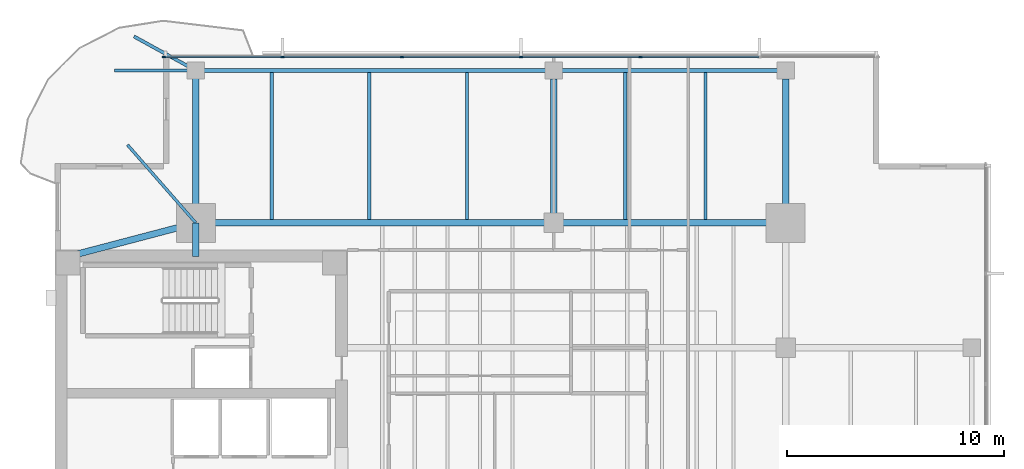
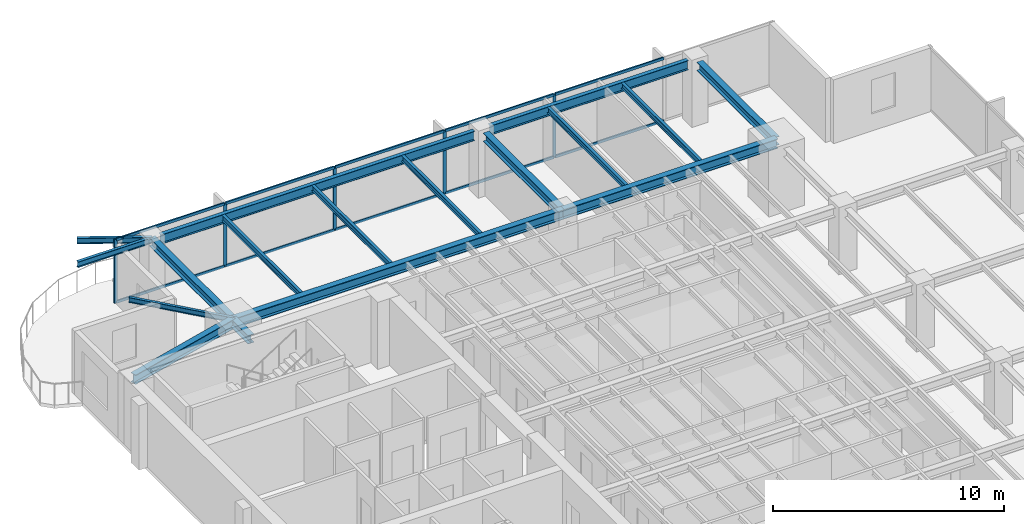
# One storey, part 5 of 14: 17 beams, 15 members, 1 element without a shape of its own.
"""IFC4 building model written with IfcOpenShell, lengths in metres."""

import ifcopenshell
import ifcopenshell.guid

model = None  # the IFC model being written
_history = None  # IfcOwnerHistory: only IFC2X3 demands one
_inside = {}  # id of a spatial element -> (the spatial element, [elements in it])
_under = {}  # id of a project, library or spatial element -> (it, [spatial elements below it])
_declared = {}  # id of a project -> (the project, [libraries it declares])
_typed = {}  # id of a type object -> (the type object, [elements of that type])
_made_of = {}  # id of a material, layer set ... -> (it, [elements and type objects made of it])


def new_model(schema):
    """Start an empty IFC model of exactly this schema.

    Asked for "IFC4X3", IfcOpenShell would pick the latest addendum, in which some entities
    have other attributes; the version numbers below select the first issue.
    IFC2X3 requires an IfcOwnerHistory on every rooted entity: one is made here for all.
    """
    global model, _history
    if schema == "IFC4X3":
        model = ifcopenshell.file(schema_version=(4, 3, 0, 0))
    else:
        model = ifcopenshell.file(schema=schema)
    _inside.clear()
    _under.clear()
    _declared.clear()
    _typed.clear()
    _made_of.clear()
    _history = None
    if model.schema == "IFC2X3":
        org = make("IfcOrganization", Name="unknown")
        user = make(
            "IfcPersonAndOrganization",
            ThePerson=make("IfcPerson", FamilyName="unknown"),
            TheOrganization=org,
        )
        app = make(
            "IfcApplication",
            ApplicationDeveloper=org,
            Version="unknown",
            ApplicationFullName="unknown",
            ApplicationIdentifier="unknown",
        )
        _history = make(
            "IfcOwnerHistory",
            OwningUser=user,
            OwningApplication=app,
            ChangeAction="ADDED",
            CreationDate=0,
        )
    return model


def make(cls, **values):
    """One entity of the class cls with the attributes given. An attribute that is None is left unset."""
    return model.create_entity(
        cls, **{name: value for name, value in values.items() if value is not None}
    )


def rooted(cls, **values):
    """An entity with a GlobalId (a new one), such as an element, a storey or a relation."""
    return make(cls, GlobalId=ifcopenshell.guid.new(), OwnerHistory=_history, **values)


def si_unit(unit_type, name, prefix=None):
    """IfcSIUnit, for example si_unit("LENGTHUNIT", "METRE", prefix="MILLI")."""
    return make("IfcSIUnit", UnitType=unit_type, Prefix=prefix, Name=name)


def assignment(units):
    """IfcUnitAssignment: the units of a project."""
    return None if units is None else make("IfcUnitAssignment", Units=units)


def point(xyz):
    """IfcCartesianPoint."""
    return None if xyz is None else make("IfcCartesianPoint", Coordinates=xyz)


def direction(xyz):
    """IfcDirection."""
    return None if xyz is None else make("IfcDirection", DirectionRatios=xyz)


def frame(location, z_axis=None, x_axis=None):
    """IfcAxis2Placement3D, a coordinate frame: its origin and axes. An axis left out is left unset."""
    return make(
        "IfcAxis2Placement3D",
        Location=point(location),
        Axis=direction(z_axis),
        RefDirection=direction(x_axis),
    )


def frame_2d(location, x_axis=None):
    """IfcAxis2Placement2D, a coordinate frame in the plane: its origin and x axis."""
    return make(
        "IfcAxis2Placement2D", Location=point(location), RefDirection=direction(x_axis)
    )


def origin():
    """The frame at (0, 0, 0) with its axes left unset."""
    return frame((0.0, 0.0, 0.0))


def origin_2d():
    """The frame at (0, 0) in the plane with its x axis left unset."""
    return frame_2d((0.0, 0.0))


def place(relative_to, where):
    """IfcLocalPlacement: puts the frame where relative to a parent placement (None: the world)."""
    return make(
        "IfcLocalPlacement", PlacementRelTo=relative_to, RelativePlacement=where
    )


def context(
    kind, dimensions, precision=None, world=None, true_north=None, identifier=None
):
    """IfcGeometricRepresentationContext, for example the 3D "Model" context."""
    return make(
        "IfcGeometricRepresentationContext",
        ContextIdentifier=identifier,
        ContextType=kind,
        CoordinateSpaceDimension=dimensions,
        Precision=precision,
        WorldCoordinateSystem=world,
        TrueNorth=true_north,
    )


def subcontext(parent, identifier, kind, view, scale=None):
    """IfcGeometricRepresentationSubContext, for example "Body" below "Model"."""
    return make(
        "IfcGeometricRepresentationSubContext",
        ContextIdentifier=identifier,
        ContextType=kind,
        ParentContext=parent,
        TargetScale=scale,
        TargetView=view,
    )


def project(units=None, contexts=None):
    """IfcProject with its units and contexts."""
    return rooted(
        "IfcProject",
        Name="project",
        RepresentationContexts=contexts,
        UnitsInContext=assignment(units),
    )


def spatial(cls, under=None, at=None, **own):
    """A site, building, storey or space (cls), placed at a placement, below another one or the project."""
    s = rooted(cls, ObjectPlacement=at, **own)
    if under is not None:
        _under.setdefault(under.id(), (under, []))[1].append(s)
    return s


def profile(cls, at=None, kind="AREA", **sizes):
    """A parametric profile (cls). Its sizes go by their IFC names, for example OverallWidth=200.0."""
    return make(cls, ProfileType=kind, Position=at, **sizes)


def rectangle(**sizes):
    """IfcRectangleProfileDef."""
    return profile("IfcRectangleProfileDef", **sizes)


def i_section(**sizes):
    """IfcIShapeProfileDef."""
    return profile("IfcIShapeProfileDef", **sizes)


def extrude(swept, where, along, depth):
    """IfcExtrudedAreaSolid: the profile swept, set in the frame where, extruded along a direction by depth."""
    return make(
        "IfcExtrudedAreaSolid",
        SweptArea=swept,
        Position=where,
        ExtrudedDirection=direction(along),
        Depth=depth,
    )


def shape(context_of_items, identifier, shape_type, items):
    """IfcShapeRepresentation: the items that make up one representation, for example the "Body"."""
    return make(
        "IfcShapeRepresentation",
        ContextOfItems=context_of_items,
        RepresentationIdentifier=identifier,
        RepresentationType=shape_type,
        Items=items,
    )


def material(Name=None, Category=None):
    """IfcMaterial."""
    return make("IfcMaterial", Name=Name, Category=Category)


def layer(
    of_material, thickness, ventilated=None, Name=None, Category=None, Priority=None
):
    """IfcMaterialLayer: one layer of a wall or slab, of a material (None: an air gap)."""
    return make(
        "IfcMaterialLayer",
        Material=of_material,
        LayerThickness=thickness,
        IsVentilated=ventilated,
        Name=Name,
        Category=Category,
        Priority=Priority,
    )


def layer_set(layers, Name=None):
    """IfcMaterialLayerSet."""
    return make("IfcMaterialLayerSet", MaterialLayers=layers, LayerSetName=Name)


def material_profile(
    of_material, cross_section, Name=None, Category=None, Priority=None
):
    """IfcMaterialProfile: a cross section and its material."""
    return make(
        "IfcMaterialProfile",
        Name=Name,
        Material=of_material,
        Profile=cross_section,
        Priority=Priority,
        Category=Category,
    )


def profile_set(profiles, Name=None, composite=None):
    """IfcMaterialProfileSet."""
    return make(
        "IfcMaterialProfileSet",
        Name=Name,
        MaterialProfiles=profiles,
        CompositeProfile=composite,
    )


def made_of(thing, what):
    """Note that an element or type object is made of a material, layer set ...; save() writes the relation."""
    if what is not None:
        _made_of.setdefault(what.id(), (what, []))[1].append(thing)
    return thing


def type_object(cls, material=None, **own):
    """A type object (cls), such as IfcWallType, which elements share."""
    return made_of(rooted(cls, **own), material)


def element(
    cls,
    number,
    at=None,
    inside=None,
    cuts=None,
    type_object=None,
    material=None,
    context=None,
    identifier="Body",
    shape_type=None,
    held_by="IfcProductDefinitionShape",
    body=None,
    shapes=None,
    **own,
):
    """One element of the class cls, such as IfcWall. Its Tag is "e" and its number.

    at: its placement. inside: the storey or other place that contains it. cuts: it is an
    opening in that element (IfcRelVoidsElement). A single representation is given by context,
    identifier, shape_type and body (its items); several are given by shapes. held_by: the class
    of the entity that holds the representations. save() writes the other relations.
    """
    e = rooted(cls, Tag="e%d" % number, ObjectPlacement=at, **own)
    if body is not None:
        shapes = [shape(context, identifier, shape_type, body)]
    if shapes is not None:
        e.Representation = make(held_by, Representations=shapes)
    if inside is not None:
        _inside.setdefault(inside.id(), (inside, []))[1].append(e)
    if cuts is not None:
        rooted(
            "IfcRelVoidsElement", RelatingBuildingElement=cuts, RelatedOpeningElement=e
        )
    if type_object is not None:
        _typed.setdefault(type_object.id(), (type_object, []))[1].append(e)
    return made_of(e, material)


def aggregate(whole, parts):
    """IfcRelAggregates: a whole, such as a stair, and the parts it consists of."""
    return rooted("IfcRelAggregates", RelatingObject=whole, RelatedObjects=parts)


def save(model, path):
    """Write the relations noted so far, then the file.

    IfcRelAggregates (storeys below a building ...), IfcRelContainedInSpatialStructure (elements
    in a storey), IfcRelDefinesByType, IfcRelAssociatesMaterial and IfcRelDeclares: one each for
    every whole, place, type object, material and project.
    """
    for whole, parts in _under.values():
        aggregate(whole, parts)
    for where, things in _inside.values():
        rooted(
            "IfcRelContainedInSpatialStructure",
            RelatedElements=things,
            RelatingStructure=where,
        )
    for kind, things in _typed.values():
        rooted("IfcRelDefinesByType", RelatedObjects=things, RelatingType=kind)
    for what, things in _made_of.values():
        rooted("IfcRelAssociatesMaterial", RelatedObjects=things, RelatingMaterial=what)
    for by, libraries in _declared.values():
        rooted("IfcRelDeclares", RelatingContext=by, RelatedDefinitions=libraries)
    model.write(path)


model = new_model("IFC4")

# Units and contexts
model_context = context("Model", 3, precision=1e-05, world=origin(), true_north=direction((0.0, 1.0)))
body_context = subcontext(model_context, "Body", "Model", "MODEL_VIEW")
ifc_project = project(units=[si_unit("LENGTHUNIT", "METRE"), si_unit("AREAUNIT", "SQUARE_METRE"), si_unit("VOLUMEUNIT", "CUBIC_METRE"), si_unit("PLANEANGLEUNIT", "RADIAN"), si_unit("MASSUNIT", "GRAM", prefix="KILO")], contexts=[model_context])

# Site, building, storey
site_placement = place(None, origin())
site = spatial("IfcSite", under=ifc_project, at=site_placement, CompositionType="ELEMENT")
building_placement = place(site_placement, origin())
building = spatial("IfcBuilding", under=site, at=building_placement, Name="Kinhvarn Gate Tower", CompositionType="ELEMENT")
storey_placement = place(building_placement, frame((0.0, 0.0, 216.449951171875)))
storey = spatial("IfcBuildingStorey", under=building, at=storey_placement, Name="L57", CompositionType="ELEMENT", Elevation=216.449951171875)

# Curtain wall, members
ifc_material_1 = material(Name="Anodised aluminium AW-6063", Category="aluminium")
ifc_layer = layer(ifc_material_1, 0.179931640625)
ifc_layer_set = layer_set([ifc_layer], Name="Anodised aluminium AW-6063")
curtain_wall_type = type_object("IfcCurtainWallType", Name="CW-SYS-3", PredefinedType="NOTDEFINED", material=ifc_layer_set)
curtain_wall_placement = place(storey_placement, origin())
curtain_wall = element("IfcCurtainWall", 1, at=curtain_wall_placement, inside=storey, type_object=curtain_wall_type, Name="Curtain Wall CW3 (L57)", PredefinedType="NOTDEFINED")
ifc_material_profile_1 = material_profile(ifc_material_1, rectangle(XDim=0.06494140625, YDim=0.159912109375, at=origin_2d()), Name="ALU 65x160")
ifc_profile_set_1 = profile_set([ifc_material_profile_1], Name="Anodised aluminium AW-6063")
member_type_1 = type_object("IfcMemberType", Name="CW-MUL-160", PredefinedType="MULLION", material=ifc_profile_set_1)
member_1_placement = place(storey_placement, frame((31.5, 45.409912109375, 0.0), z_axis=(0.0, 0.0, 1.0), x_axis=(0.0, -1.0, 0.0)))
member_1 = element("IfcMember", 2, at=member_1_placement, type_object=member_type_1, Name="CW3 mullion 3", PredefinedType="MULLION", context=body_context, shape_type="SweptSolid", body=[
    extrude(rectangle(XDim=0.06494140625, YDim=0.159912109375, at=origin_2d()), origin(), (0.0, 0.0, 1.0), 3.3701171875),
])
member_2_placement = place(storey_placement, frame((26.0, 45.409912109375, 0.0), z_axis=(0.0, 0.0, 1.0), x_axis=(0.0, -1.0, 0.0)))
member_2 = element("IfcMember", 3, at=member_2_placement, type_object=member_type_1, Name="CW3 mullion 4", PredefinedType="MULLION", context=body_context, shape_type="SweptSolid", body=[
    extrude(rectangle(XDim=0.06494140625, YDim=0.159912109375, at=origin_2d()), origin(), (0.0, 0.0, 1.0), 3.3701171875),
])
member_3_placement = place(storey_placement, frame((20.5, 45.409912109375, 0.0), z_axis=(0.0, 0.0, 1.0), x_axis=(0.0, -1.0, 0.0)))
member_3 = element("IfcMember", 4, at=member_3_placement, type_object=member_type_1, Name="CW3 mullion 5", PredefinedType="MULLION", context=body_context, shape_type="SweptSolid", body=[
    extrude(rectangle(XDim=0.06494140625, YDim=0.159912109375, at=origin_2d()), origin(), (0.0, 0.0, 1.0), 3.3701171875),
])
member_4_placement = place(storey_placement, frame((15.0, 45.409912109375, 0.0), z_axis=(0.0, 0.0, 1.0), x_axis=(0.0, -1.0, 0.0)))
member_4 = element("IfcMember", 5, at=member_4_placement, type_object=member_type_1, Name="CW3 mullion 6", PredefinedType="MULLION", context=body_context, shape_type="SweptSolid", body=[
    extrude(rectangle(XDim=0.06494140625, YDim=0.159912109375, at=origin_2d()), origin(), (0.0, 0.0, 1.0), 3.3701171875),
])
member_5_placement = place(storey_placement, frame((9.532470703125, 45.409912109375, 0.0), z_axis=(0.0, 0.0, 1.0), x_axis=(0.0, -1.0, 0.0)))
member_5 = element("IfcMember", 6, at=member_5_placement, type_object=member_type_1, Name="CW3 mullion 7", PredefinedType="MULLION", context=body_context, shape_type="SweptSolid", body=[
    extrude(rectangle(XDim=0.06494140625, YDim=0.159912109375, at=origin_2d()), origin(), (0.0, 0.0, 1.0), 3.3701171875),
])
ifc_material_profile_2 = material_profile(ifc_material_1, rectangle(XDim=0.070068359375, YDim=0.139892578125, at=origin_2d()), Name="ALU 70x140")
ifc_profile_set_2 = profile_set([ifc_material_profile_2], Name="Anodised aluminium AW-6063")
member_type_2 = type_object("IfcMemberType", Name="CW-TRN-140", PredefinedType="USERDEFINED", material=ifc_profile_set_2)
member_6_placement = place(storey_placement, frame((36.967529296875, 45.409912109375, 0.03515625), z_axis=(-1.0, 0.0, 0.0), x_axis=(0.0, -1.0, 0.0)))
member_6 = element("IfcMember", 7, at=member_6_placement, type_object=member_type_2, Name="CW3 transom 2.1", ObjectType="TRANSOM", PredefinedType="USERDEFINED", context=body_context, shape_type="SweptSolid", body=[
    extrude(rectangle(XDim=0.070068359375, YDim=0.139892578125, at=origin_2d()), origin(), (0.0, 0.0, 1.0), 5.43505859375),
])
member_7_placement = place(storey_placement, frame((36.967529296875, 45.409912109375, 3.3349609375), z_axis=(-1.0, 0.0, 0.0), x_axis=(0.0, -1.0, 0.0)))
member_7 = element("IfcMember", 8, at=member_7_placement, type_object=member_type_2, Name="CW3 transom 2.2", ObjectType="TRANSOM", PredefinedType="USERDEFINED", context=body_context, shape_type="SweptSolid", body=[
    extrude(rectangle(XDim=0.070068359375, YDim=0.139892578125, at=origin_2d()), origin(), (0.0, 0.0, 1.0), 5.43505859375),
])
member_8_placement = place(storey_placement, frame((31.467529296875, 45.409912109375, 0.03515625), z_axis=(-1.0, 0.0, 0.0), x_axis=(0.0, -1.0, 0.0)))
member_8 = element("IfcMember", 9, at=member_8_placement, type_object=member_type_2, Name="CW3 transom 3.1", ObjectType="TRANSOM", PredefinedType="USERDEFINED", context=body_context, shape_type="SweptSolid", body=[
    extrude(rectangle(XDim=0.070068359375, YDim=0.139892578125, at=origin_2d()), origin(), (0.0, 0.0, 1.0), 5.43505859375),
])
member_9_placement = place(storey_placement, frame((31.467529296875, 45.409912109375, 3.3349609375), z_axis=(-1.0, 0.0, 0.0), x_axis=(0.0, -1.0, 0.0)))
member_9 = element("IfcMember", 10, at=member_9_placement, type_object=member_type_2, Name="CW3 transom 3.2", ObjectType="TRANSOM", PredefinedType="USERDEFINED", context=body_context, shape_type="SweptSolid", body=[
    extrude(rectangle(XDim=0.070068359375, YDim=0.139892578125, at=origin_2d()), origin(), (0.0, 0.0, 1.0), 5.43505859375),
])
member_10_placement = place(storey_placement, frame((25.967529296875, 45.409912109375, 0.03515625), z_axis=(-1.0, 0.0, 0.0), x_axis=(0.0, -1.0, 0.0)))
member_10 = element("IfcMember", 11, at=member_10_placement, type_object=member_type_2, Name="CW3 transom 4.1", ObjectType="TRANSOM", PredefinedType="USERDEFINED", context=body_context, shape_type="SweptSolid", body=[
    extrude(rectangle(XDim=0.070068359375, YDim=0.139892578125, at=origin_2d()), origin(), (0.0, 0.0, 1.0), 5.43505859375),
])
member_11_placement = place(storey_placement, frame((25.967529296875, 45.409912109375, 3.3349609375), z_axis=(-1.0, 0.0, 0.0), x_axis=(0.0, -1.0, 0.0)))
member_11 = element("IfcMember", 12, at=member_11_placement, type_object=member_type_2, Name="CW3 transom 4.2", ObjectType="TRANSOM", PredefinedType="USERDEFINED", context=body_context, shape_type="SweptSolid", body=[
    extrude(rectangle(XDim=0.070068359375, YDim=0.139892578125, at=origin_2d()), origin(), (0.0, 0.0, 1.0), 5.43505859375),
])
member_12_placement = place(storey_placement, frame((20.467529296875, 45.409912109375, 0.03515625), z_axis=(-1.0, 0.0, 0.0), x_axis=(0.0, -1.0, 0.0)))
member_12 = element("IfcMember", 13, at=member_12_placement, type_object=member_type_2, Name="CW3 transom 5.1", ObjectType="TRANSOM", PredefinedType="USERDEFINED", context=body_context, shape_type="SweptSolid", body=[
    extrude(rectangle(XDim=0.070068359375, YDim=0.139892578125, at=origin_2d()), origin(), (0.0, 0.0, 1.0), 5.43505859375),
])
member_13_placement = place(storey_placement, frame((20.467529296875, 45.409912109375, 3.3349609375), z_axis=(-1.0, 0.0, 0.0), x_axis=(0.0, -1.0, 0.0)))
member_13 = element("IfcMember", 14, at=member_13_placement, type_object=member_type_2, Name="CW3 transom 5.2", ObjectType="TRANSOM", PredefinedType="USERDEFINED", context=body_context, shape_type="SweptSolid", body=[
    extrude(rectangle(XDim=0.070068359375, YDim=0.139892578125, at=origin_2d()), origin(), (0.0, 0.0, 1.0), 5.43505859375),
])
member_14_placement = place(storey_placement, frame((14.967529296875, 45.409912109375, 0.03515625), z_axis=(-1.0, 0.0, 0.0), x_axis=(0.0, -1.0, 0.0)))
member_14 = element("IfcMember", 15, at=member_14_placement, type_object=member_type_2, Name="CW3 transom 6.1", ObjectType="TRANSOM", PredefinedType="USERDEFINED", context=body_context, shape_type="SweptSolid", body=[
    extrude(rectangle(XDim=0.070068359375, YDim=0.139892578125, at=origin_2d()), origin(), (0.0, 0.0, 1.0), 5.402587890625),
])
member_15_placement = place(storey_placement, frame((14.967529296875, 45.409912109375, 3.3349609375), z_axis=(-1.0, 0.0, 0.0), x_axis=(0.0, -1.0, 0.0)))
member_15 = element("IfcMember", 16, at=member_15_placement, type_object=member_type_2, Name="CW3 transom 6.2", ObjectType="TRANSOM", PredefinedType="USERDEFINED", context=body_context, shape_type="SweptSolid", body=[
    extrude(rectangle(XDim=0.070068359375, YDim=0.139892578125, at=origin_2d()), origin(), (0.0, 0.0, 1.0), 5.402587890625),
])
aggregate(curtain_wall, [member_1, member_2, member_3, member_4, member_5, member_6, member_7, member_8, member_9, member_10, member_11, member_12, member_13, member_14, member_15])

# Beams
ifc_material_2 = material(Name="Steel S355", Category="steel")
ifc_material_profile_3 = material_profile(ifc_material_2, i_section(OverallWidth=0.300048828125, OverallDepth=0.449951171875, WebThickness=0.013916015625, FlangeThickness=0.02587890625, at=origin_2d()), Name="HEB 450")
ifc_profile_set_3 = profile_set([ifc_material_profile_3], Name="Steel S355")
beam_type_1 = type_object("IfcBeamType", Name="STL-HEB450", PredefinedType="BEAM", material=ifc_profile_set_3)
beam_1_placement = place(storey_placement, frame((11.0, 36.199951171875, 3.14501953125), z_axis=(0.0, 1.0, 0.0), x_axis=(-1.0, 0.0, 0.0)))
element("IfcBeam", 17, at=beam_1_placement, inside=storey, type_object=beam_type_1, Name="Floor Beam PG-13 (L57 MCW-CN)", PredefinedType="BEAM", context=body_context, shape_type="SweptSolid", body=[
    extrude(i_section(OverallWidth=0.300048828125, OverallDepth=0.449951171875, WebThickness=0.013916015625, FlangeThickness=0.02587890625, at=origin_2d()), origin(), (0.0, 0.0, 1.0), 1.550048828125),
])
beam_2_placement = place(storey_placement, frame((11.0, 37.75, 3.14501953125), z_axis=(0.0, 1.0, 0.0), x_axis=(-1.0, 0.0, 0.0)))
element("IfcBeam", 18, at=beam_2_placement, inside=storey, type_object=beam_type_1, Name="Floor Beam PG-13 (L57 MCW-N)", PredefinedType="BEAM", context=body_context, shape_type="SweptSolid", body=[
    extrude(i_section(OverallWidth=0.300048828125, OverallDepth=0.449951171875, WebThickness=0.013916015625, FlangeThickness=0.02587890625, at=origin_2d()), origin(), (0.0, 0.0, 1.0), 7.030029296875),
])
for number, where, z_axis, x_axis, name in (
    (19, (27.5, 37.75, 3.14501953125), (0.0, 1.0, 0.0), (-1.0, 0.0, 0.0), "Floor Beam PG-13 (L57 SP27-N-TIE)"),
    (20, (38.199951171875, 37.75, 3.14501953125), (0.0, 1.0, 0.0), (-1.0, 0.0, 0.0), "Floor Beam PG-13 (L57 MCE-N)"),
):
    element("IfcBeam", number, at=place(storey_placement, frame(where, z_axis=z_axis, x_axis=x_axis)), inside=storey, type_object=beam_type_1, Name=name, PredefinedType="BEAM", context=body_context, shape_type="SweptSolid", body=[
        extrude(i_section(OverallWidth=0.300048828125, OverallDepth=0.449951171875, WebThickness=0.013916015625, FlangeThickness=0.02587890625, at=origin_2d()), origin(), (0.0, 0.0, 1.0), 6.64501953125),
    ])
ifc_material_profile_4 = material_profile(ifc_material_2, i_section(OverallWidth=0.300048828125, OverallDepth=0.5, WebThickness=0.014404296875, FlangeThickness=0.028076171875, at=origin_2d()), Name="HEB 500")
ifc_profile_set_4 = profile_set([ifc_material_profile_4], Name="Steel S355")
beam_type_2 = type_object("IfcBeamType", Name="STL-HEB500", PredefinedType="BEAM", material=ifc_profile_set_4)
beam_3_placement = place(storey_placement, frame((11.0, 37.75, 3.1201171875), z_axis=(1.0, 0.0, 0.0), x_axis=(0.0, 1.0, 0.0)))
element("IfcBeam", 21, at=beam_3_placement, inside=storey, type_object=beam_type_2, Name="Floor Beam PG-14 (L57 MG-N1)", PredefinedType="BEAM", context=body_context, shape_type="SweptSolid", body=[
    extrude(i_section(OverallWidth=0.300048828125, OverallDepth=0.5, WebThickness=0.014404296875, FlangeThickness=0.028076171875, at=origin_2d()), origin(), (0.0, 0.0, 1.0), 16.5),
])
beam_4_placement = place(storey_placement, frame((27.5, 37.75, 3.1201171875), z_axis=(1.0, 0.0, 0.0), x_axis=(0.0, 1.0, 0.0)))
element("IfcBeam", 22, at=beam_4_placement, inside=storey, type_object=beam_type_2, Name="Floor Beam PG-14 (L57 MG-N2)", PredefinedType="BEAM", context=body_context, shape_type="SweptSolid", body=[
    extrude(i_section(OverallWidth=0.300048828125, OverallDepth=0.5, WebThickness=0.014404296875, FlangeThickness=0.028076171875, at=origin_2d()), origin(), (0.0, 0.0, 1.0), 10.699951171875),
])
beam_5_placement = place(storey_placement, frame((5.10009765625, 36.199951171875, 3.1201171875), z_axis=(0.967177623957, 0.254101246979, 0.0), x_axis=(-0.254101246979, 0.967177623957, 0.0)))
element("IfcBeam", 23, at=beam_5_placement, inside=storey, type_object=beam_type_2, Name="Floor Beam PG-14 (L57 MG-NW-DIAG)", PredefinedType="BEAM", context=body_context, shape_type="SweptSolid", body=[
    extrude(i_section(OverallWidth=0.300048828125, OverallDepth=0.5, WebThickness=0.014404296875, FlangeThickness=0.028076171875, at=origin_2d()), origin(), (0.0, 0.0, 1.0), 6.10009765625),
])
ifc_material_profile_5 = material_profile(ifc_material_2, i_section(OverallWidth=0.135009765625, OverallDepth=0.27001953125, WebThickness=0.006591796875, FlangeThickness=0.01025390625, at=origin_2d()), Name="IPE 270")
ifc_profile_set_5 = profile_set([ifc_material_profile_5], Name="Steel S355")
beam_type_3 = type_object("IfcBeamType", Name="STL-IPE270", PredefinedType="JOIST", material=ifc_profile_set_5)
beam_6_placement = place(storey_placement, frame((11.0, 37.75, 3.235107421875), z_axis=(-0.658482928045, 0.752595664001, 0.0), x_axis=(-0.752595664001, -0.658482928045, 0.0)))
element("IfcBeam", 24, at=beam_6_placement, inside=storey, type_object=beam_type_3, Name="Floor Joist SB-01 (L57 BAL-B3-L58)", PredefinedType="JOIST", context=body_context, shape_type="SweptSolid", body=[
    extrude(i_section(OverallWidth=0.135009765625, OverallDepth=0.27001953125, WebThickness=0.006591796875, FlangeThickness=0.01025390625, at=origin_2d()), origin(), (0.0, 0.0, 1.0), 4.78369140625),
])
ifc_material_profile_6 = material_profile(ifc_material_2, i_section(OverallWidth=0.14990234375, OverallDepth=0.300048828125, WebThickness=0.007080078125, FlangeThickness=0.0107421875, at=origin_2d()), Name="IPE 300")
ifc_profile_set_6 = profile_set([ifc_material_profile_6], Name="Steel S355")
beam_type_4 = type_object("IfcBeamType", Name="STL-IPE300", PredefinedType="JOIST", material=ifc_profile_set_6)
for number, where, z_axis, x_axis, name in (
    (25, (14.5, 37.89990234375, 3.219970703125), (0.0, 1.0, 0.0), (-1.0, 0.0, 0.0), "Floor Joist SB-02 (L57 JN-X145)"),
    (26, (19.0, 37.89990234375, 3.219970703125), (0.0, 1.0, 0.0), (-1.0, 0.0, 0.0), "Floor Joist SB-02 (L57 JN-X190)"),
    (27, (23.5, 37.89990234375, 3.219970703125), (0.0, 1.0, 0.0), (-1.0, 0.0, 0.0), "Floor Joist SB-02 (L57 JN-X235)"),
    (28, (30.800048828125, 37.89990234375, 3.219970703125), (0.0, 1.0, 0.0), (-1.0, 0.0, 0.0), "Floor Joist SB-02 (L57 JN-X308)"),
    (29, (34.5, 37.89990234375, 3.219970703125), (0.0, 1.0, 0.0), (-1.0, 0.0, 0.0), "Floor Joist SB-02 (L57 JN-X345)"),
):
    element("IfcBeam", number, at=place(storey_placement, frame(where, z_axis=z_axis, x_axis=x_axis)), inside=storey, type_object=beam_type_4, Name=name, PredefinedType="JOIST", context=body_context, shape_type="SweptSolid", body=[
        extrude(i_section(OverallWidth=0.14990234375, OverallDepth=0.300048828125, WebThickness=0.007080078125, FlangeThickness=0.0107421875, at=origin_2d()), origin(), (0.0, 0.0, 1.0), 6.780029296875),
    ])
beam_7_placement = place(storey_placement, frame((11.0, 44.780029296875, 3.219970703125), z_axis=(-1.0, 0.0, 0.0), x_axis=(0.0, -1.0, 0.0)))
element("IfcBeam", 30, at=beam_7_placement, inside=storey, type_object=beam_type_4, Name="Floor Joist SB-02 (L57 BAL-B1-L58)", PredefinedType="JOIST", context=body_context, shape_type="SweptSolid", body=[
    extrude(i_section(OverallWidth=0.14990234375, OverallDepth=0.300048828125, WebThickness=0.007080078125, FlangeThickness=0.0107421875, at=origin_2d()), origin(), (0.0, 0.0, 1.0), 3.75),
])
beam_8_placement = place(storey_placement, frame((11.0, 44.780029296875, 3.219970703125), z_axis=(-0.875889381738, 0.482511959394, 0.0), x_axis=(-0.482511959394, -0.875889381738, 0.0)))
element("IfcBeam", 31, at=beam_8_placement, inside=storey, type_object=beam_type_4, Name="Floor Joist SB-02 (L57 BAL-B2-L58)", PredefinedType="JOIST", context=body_context, shape_type="SweptSolid", body=[
    extrude(i_section(OverallWidth=0.14990234375, OverallDepth=0.300048828125, WebThickness=0.007080078125, FlangeThickness=0.0107421875, at=origin_2d()), origin(), (0.0, 0.0, 1.0), 3.25390625),
])
ifc_material_profile_7 = material_profile(ifc_material_2, i_section(OverallWidth=0.199951171875, OverallDepth=0.5, WebThickness=0.01025390625, FlangeThickness=0.01611328125, at=origin_2d()), Name="IPE 500")
ifc_profile_set_7 = profile_set([ifc_material_profile_7], Name="Steel S355")
beam_type_5 = type_object("IfcBeamType", Name="STL-IPE500", PredefinedType="SPANDREL", material=ifc_profile_set_7)
beam_9_placement = place(storey_placement, frame((11.385009765625, 44.780029296875, 3.1201171875), z_axis=(1.0, 0.0, 0.0), x_axis=(0.0, 1.0, 0.0)))
element("IfcBeam", 32, at=beam_9_placement, inside=storey, type_object=beam_type_5, Name="Floor Spandrel SB-07 (L57 SP-N1)", PredefinedType="SPANDREL", context=body_context, shape_type="SweptSolid", body=[
    extrude(i_section(OverallWidth=0.199951171875, OverallDepth=0.5, WebThickness=0.01025390625, FlangeThickness=0.01611328125, at=origin_2d()), origin(), (0.0, 0.0, 1.0), 15.72998046875),
])
beam_10_placement = place(storey_placement, frame((27.885009765625, 44.780029296875, 3.1201171875), z_axis=(1.0, 0.0, 0.0), x_axis=(0.0, 1.0, 0.0)))
element("IfcBeam", 33, at=beam_10_placement, inside=storey, type_object=beam_type_5, Name="Floor Spandrel SB-07 (L57 SP-N2)", PredefinedType="SPANDREL", context=body_context, shape_type="SweptSolid", body=[
    extrude(i_section(OverallWidth=0.199951171875, OverallDepth=0.5, WebThickness=0.01025390625, FlangeThickness=0.01611328125, at=origin_2d()), origin(), (0.0, 0.0, 1.0), 9.929931640625),
])

save(model, "model.ifc")
